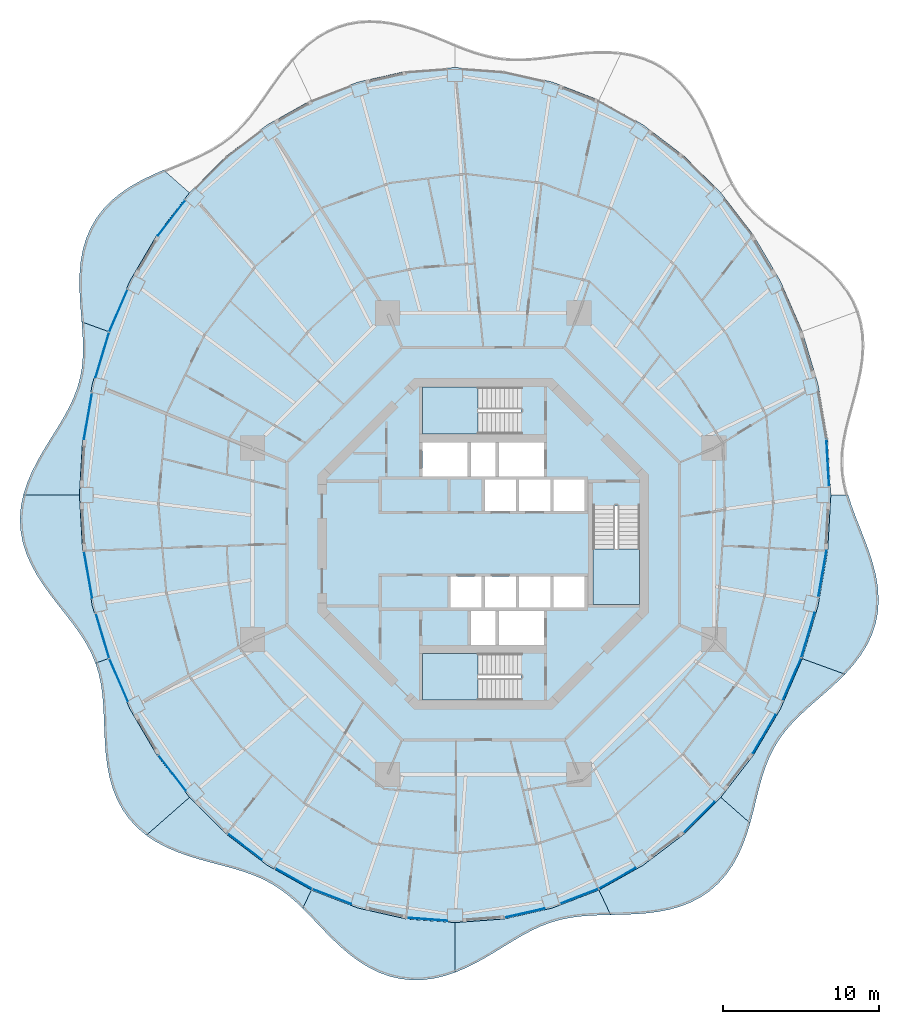
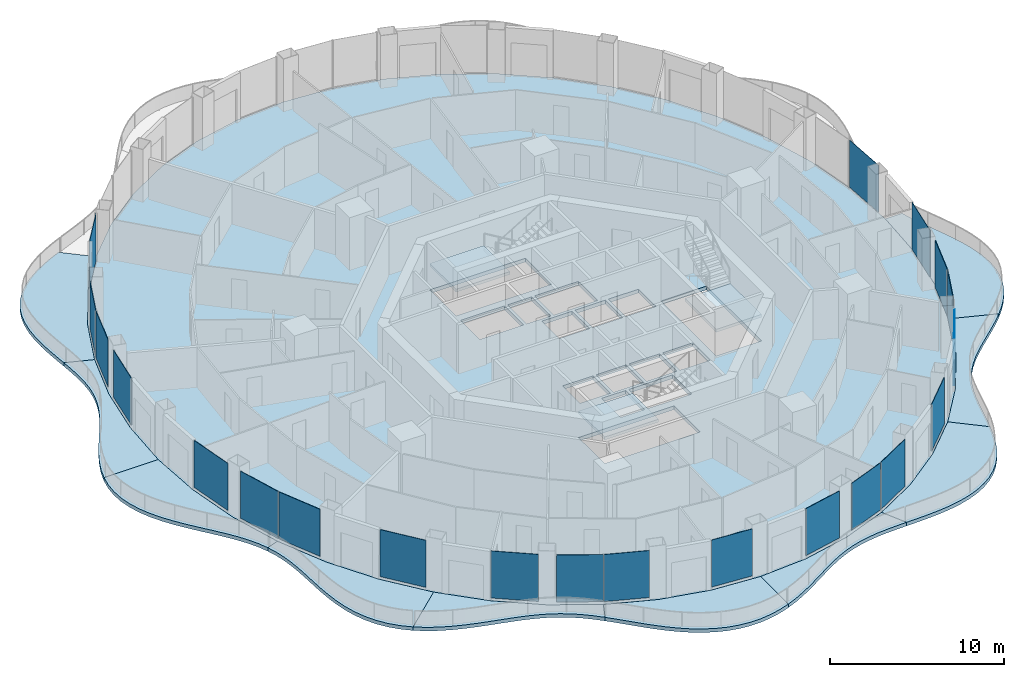
# One storey, part 8 of 18: 21 plates, 14 slabs, 24 elements without a shape of their own.
"""IFC4 building model written with IfcOpenShell, lengths in metres."""

from ifc_helpers import new_model, si_unit, direction, frame, origin, origin_2d, place, context, subcontext, project, spatial, polyline, rectangle, outline, extrude, material, layer, layer_set, type_object, element, aggregate, save


model = new_model("IFC4")

# Units and contexts
model_context = context("Model", 3, precision=1e-05, world=origin(), true_north=direction((0.0, 1.0)))
body_context = subcontext(model_context, "Body", "Model", "MODEL_VIEW")
ifc_project = project(units=[si_unit("LENGTHUNIT", "METRE"), si_unit("AREAUNIT", "SQUARE_METRE"), si_unit("VOLUMEUNIT", "CUBIC_METRE"), si_unit("PLANEANGLEUNIT", "RADIAN"), si_unit("MASSUNIT", "GRAM", prefix="KILO")], contexts=[model_context])

# Site, building, storey
site_placement = place(None, origin())
site = spatial("IfcSite", under=ifc_project, at=site_placement, CompositionType="ELEMENT")
building_placement = place(site_placement, origin())
building = spatial("IfcBuilding", under=site, at=building_placement, Name="Nagisa Residences", CompositionType="ELEMENT")
storey_placement = place(building_placement, frame((0.0, 0.0, 227.0)))
storey = spatial("IfcBuildingStorey", under=building, at=storey_placement, Name="L57", CompositionType="ELEMENT", Elevation=227.0)

# Slabs
ifc_material_1 = material(Name="Concrete C40/50", Category="concrete")
ifc_layer_1 = layer(ifc_material_1, 0.25)
ifc_layer_set_1 = layer_set([ifc_layer_1], Name="BALCONY SLAB 250")
slab_type_1 = type_object("IfcSlabType", Name="BALCONY SLAB 250", PredefinedType="FLOOR", material=ifc_layer_set_1)
slab_1_placement = place(storey_placement, frame((0.0, 0.0, -0.25)))
element("IfcSlab", 1, at=slab_1_placement, inside=storey, type_object=slab_type_1, Name="slab:L57:bal06", PredefinedType="FLOOR", context=body_context, shape_type="SweptSolid", body=[
    extrude(outline(polyline([(-20.475341796875, 23.93994140625), (-21.192138671875, 23.623779296875), (-21.8984375, 23.278076171875), (-22.579345703125, 22.893310546875), (-23.220458984375, 22.462158203125), (-23.80859375, 21.980224609375), (-24.33203125, 21.4453125), (-24.7822265625, 20.857666015625), (-25.153076171875, 20.220703125), (-25.4423828125, 19.539306640625), (-25.651611328125, 18.82080078125), (-25.785400390625, 18.0732421875), (-25.852783203125, 17.3056640625), (-25.865234375, 16.527587890625), (-25.836669921875, 15.747314453125), (-25.782958984375, 14.973388671875), (-25.720458984375, 14.2119140625), (-24.037841796875, 13.599365234375), (-22.645263671875, 16.812744140625), (-20.89599609375, 19.791748046875), (-18.820068359375, 22.4853515625), (-20.475341796875, 23.93994140625)])), origin(), (0.0, 0.0, 1.0), 0.25),
])
slab_2_placement = place(storey_placement, frame((0.0, 0.0, -0.25)))
element("IfcSlab", 2, at=slab_2_placement, inside=storey, type_object=slab_type_1, Name="slab:L57:bal07", PredefinedType="FLOOR", context=body_context, shape_type="SweptSolid", body=[
    extrude(outline(polyline([(-25.720458984375, 14.2119140625), (-25.664794921875, 13.44482421875), (-25.63427734375, 12.699951171875), (-25.64453125, 11.978759765625), (-25.706787109375, 11.2802734375), (-25.82958984375, 10.60205078125), (-26.016845703125, 9.939697265625), (-26.267822265625, 9.2880859375), (-26.5771484375, 8.6416015625), (-26.935791015625, 7.994140625), (-27.33056640625, 7.340087890625), (-27.7451171875, 6.6748046875), (-28.1611328125, 5.9951171875), (-28.5595703125, 5.299072265625), (-28.921142578125, 4.58642578125), (-29.227783203125, 3.858154296875), (-29.463623046875, 3.11767578125), (-25.8701171875, 3.11767578125), (-25.6640625, 6.69287109375), (-25.0498046875, 10.206787109375), (-24.037841796875, 13.599365234375), (-25.720458984375, 14.2119140625)])), origin(), (0.0, 0.0, 1.0), 0.25),
])
slab_3_placement = place(storey_placement, frame((0.0, 0.0, -0.25)))
element("IfcSlab", 3, at=slab_3_placement, inside=storey, type_object=slab_type_1, Name="slab:L57:bal08", PredefinedType="FLOOR", context=body_context, shape_type="SweptSolid", body=[
    extrude(outline(polyline([(-29.463623046875, 3.11767578125), (-29.615966796875, 2.368896484375), (-29.67578125, 1.61669921875), (-29.638916015625, 0.86669921875), (-29.505126953125, 0.12451171875), (-29.279296875, -0.60498046875), (-28.970458984375, -1.3173828125), (-28.591064453125, -2.009765625), (-28.1572265625, -2.68115234375), (-27.68701171875, -3.331787109375), (-27.19921875, -3.963623046875), (-26.712890625, -4.58056640625), (-26.245849609375, -5.188232421875), (-25.813720703125, -5.79248046875), (-25.4296875, -6.400390625), (-25.102294921875, -7.01904296875), (-24.83642578125, -7.65478515625), (-24.037841796875, -7.364013671875), (-25.0498046875, -3.971435546875), (-25.6640625, -0.45751953125), (-25.8701171875, 3.11767578125), (-29.463623046875, 3.11767578125)])), origin(), (0.0, 0.0, 1.0), 0.25),
])
slab_4_placement = place(storey_placement, frame((0.0, 0.0, -0.25)))
element("IfcSlab", 4, at=slab_4_placement, inside=storey, type_object=slab_type_1, Name="slab:L57:bal09", PredefinedType="FLOOR", context=body_context, shape_type="SweptSolid", body=[
    extrude(outline(polyline([(-24.83642578125, -7.65478515625), (-24.637939453125, -8.29248046875), (-24.493896484375, -8.955322265625), (-24.397216796875, -9.644775390625), (-24.337158203125, -10.361083984375), (-24.30078125, -11.101806640625), (-24.273193359375, -11.86279296875), (-24.23876953125, -12.63720703125), (-24.181396484375, -13.417236328125), (-24.0859375, -14.193359375), (-23.939453125, -14.955078125), (-23.730224609375, -15.69140625), (-23.45068359375, -16.392333984375), (-23.095703125, -17.04833984375), (-22.6640625, -17.6513671875), (-22.158203125, -18.19580078125), (-21.583740234375, -18.6787109375), (-18.820068359375, -16.25), (-20.89599609375, -13.556396484375), (-22.645263671875, -10.577392578125), (-24.037841796875, -7.364013671875), (-24.83642578125, -7.65478515625)])), origin(), (0.0, 0.0, 1.0), 0.25),
])
slab_5_placement = place(storey_placement, frame((0.0, 0.0, -0.25)))
element("IfcSlab", 5, at=slab_5_placement, inside=storey, type_object=slab_type_1, Name="slab:L57:bal10", PredefinedType="FLOOR", context=body_context, shape_type="SweptSolid", body=[
    extrude(outline(polyline([(-21.583740234375, -18.6787109375), (-20.97998046875, -19.0810546875), (-20.330810546875, -19.42919921875), (-19.64697265625, -19.727783203125), (-18.940185546875, -19.983642578125), (-18.221923828125, -20.205810546875), (-17.503662109375, -20.404541015625), (-16.795166015625, -20.591552734375), (-16.105224609375, -20.7783203125), (-15.440673828125, -20.97705078125), (-14.805419921875, -21.1982421875), (-14.20166015625, -21.451416015625), (-13.628662109375, -21.744140625), (-13.083984375, -22.080810546875), (-12.562744140625, -22.463623046875), (-12.05859375, -22.891357421875), (-11.56396484375, -23.360107421875), (-11.01123046875, -22.187255859375), (-13.8349609375, -20.602783203125), (-16.452880859375, -18.6123046875), (-18.820068359375, -16.25), (-21.583740234375, -18.6787109375)])), origin(), (0.0, 0.0, 1.0), 0.25),
])
slab_6_placement = place(storey_placement, frame((0.0, 0.0, -0.25)))
element("IfcSlab", 6, at=slab_6_placement, inside=storey, type_object=slab_type_1, Name="slab:L57:bal11", PredefinedType="FLOOR", context=body_context, shape_type="SweptSolid", body=[
    extrude(outline(polyline([(-11.56396484375, -23.360107421875), (-11.0888671875, -23.843505859375), (-10.608154296875, -24.348876953125), (-10.11474609375, -24.86572265625), (-9.60302734375, -25.38134765625), (-9.068115234375, -25.88232421875), (-8.5068359375, -26.355224609375), (-7.91748046875, -26.786376953125), (-7.2998046875, -27.163330078125), (-6.656005859375, -27.4755859375), (-5.9892578125, -27.714111328125), (-5.3037109375, -27.872802734375), (-4.605224609375, -27.948486328125), (-3.899658203125, -27.94091796875), (-3.193115234375, -27.852783203125), (-2.491455078125, -27.68994140625), (-1.800048828125, -27.461181640625), (-1.800048828125, -24.272216796875), (-4.941650390625, -24.0380859375), (-8.02978515625, -23.339111328125), (-11.01123046875, -22.187255859375), (-11.56396484375, -23.360107421875)])), origin(), (0.0, 0.0, 1.0), 0.25),
])
slab_7_placement = place(storey_placement, frame((0.0, 0.0, -0.25)))
element("IfcSlab", 7, at=slab_7_placement, inside=storey, type_object=slab_type_1, Name="slab:L57:bal12", PredefinedType="FLOOR", context=body_context, shape_type="SweptSolid", body=[
    extrude(outline(polyline([(-1.800048828125, -27.461181640625), (-1.123046875, -27.1767578125), (-0.46337890625, -26.849609375), (0.17724609375, -26.4931640625), (0.799072265625, -26.121826171875), (1.40380859375, -25.74951171875), (1.994384765625, -25.38916015625), (2.57470703125, -25.05224609375), (3.150390625, -24.748779296875), (3.7265625, -24.4853515625), (4.308837890625, -24.2666015625), (4.90283203125, -24.093994140625), (5.512939453125, -23.9658203125), (6.142578125, -23.877685546875), (6.79345703125, -23.82275390625), (7.46630859375, -23.7919921875), (8.159423828125, -23.774658203125), (7.4111328125, -22.187255859375), (4.4296875, -23.339111328125), (1.341796875, -24.0380859375), (-1.800048828125, -24.272216796875), (-1.800048828125, -27.461181640625)])), origin(), (0.0, 0.0, 1.0), 0.25),
])
slab_8_placement = place(storey_placement, frame((0.0, 0.0, -0.25)))
element("IfcSlab", 8, at=slab_8_placement, inside=storey, type_object=slab_type_1, Name="slab:L57:bal13", PredefinedType="FLOOR", context=body_context, shape_type="SweptSolid", body=[
    extrude(outline(polyline([(8.159423828125, -23.774658203125), (8.896240234375, -23.75830078125), (9.64599609375, -23.729736328125), (10.40087890625, -23.67578125), (11.15234375, -23.58349609375), (11.890625, -23.441650390625), (12.605712890625, -23.2412109375), (13.288330078125, -22.9755859375), (13.928955078125, -22.64111328125), (14.52001953125, -22.236572265625), (15.05615234375, -21.763916015625), (15.533447265625, -21.22802734375), (15.950927734375, -20.635498046875), (16.310546875, -19.99560546875), (16.6162109375, -19.318359375), (16.875, -18.615478515625), (17.095458984375, -17.89794921875), (15.219970703125, -16.25), (12.852783203125, -18.6123046875), (10.235107421875, -20.602783203125), (7.4111328125, -22.187255859375), (8.159423828125, -23.774658203125)])), origin(), (0.0, 0.0, 1.0), 0.25),
])
slab_9_placement = place(storey_placement, frame((0.0, 0.0, -0.25)))
element("IfcSlab", 9, at=slab_9_placement, inside=storey, type_object=slab_type_1, Name="slab:L57:bal14", PredefinedType="FLOOR", context=body_context, shape_type="SweptSolid", body=[
    extrude(outline(polyline([(17.095458984375, -17.89794921875), (17.297119140625, -17.141845703125), (17.482421875, -16.39404296875), (17.665283203125, -15.66455078125), (17.860107421875, -14.961669921875), (18.079833984375, -14.290771484375), (18.3359375, -13.65478515625), (18.63720703125, -13.05419921875), (18.9892578125, -12.48681640625), (19.394287109375, -11.947998046875), (19.850830078125, -11.431396484375), (20.35400390625, -10.929931640625), (20.894775390625, -10.434814453125), (21.4619140625, -9.93798828125), (22.041015625, -9.430908203125), (22.616455078125, -8.906494140625), (23.17138671875, -8.359130859375), (20.437744140625, -7.364013671875), (19.045166015625, -10.577392578125), (17.2958984375, -13.556396484375), (15.219970703125, -16.25), (17.095458984375, -17.89794921875)])), origin(), (0.0, 0.0, 1.0), 0.25),
])
slab_10_placement = place(storey_placement, frame((0.0, 0.0, -0.25)))
element("IfcSlab", 10, at=slab_10_placement, inside=storey, type_object=slab_type_1, Name="slab:L57:bal15", PredefinedType="FLOOR", context=body_context, shape_type="SweptSolid", body=[
    extrude(outline(polyline([(23.17138671875, -8.359130859375), (23.70556640625, -7.76513671875), (24.18310546875, -7.13916015625), (24.58935546875, -6.480712890625), (24.91259765625, -5.790771484375), (25.14453125, -5.0732421875), (25.28125, -4.33251953125), (25.3232421875, -3.57470703125), (25.27587890625, -2.80615234375), (25.148681640625, -2.03369140625), (24.954345703125, -1.263427734375), (24.70947265625, -0.500244140625), (24.43212890625, 0.251220703125), (24.1416015625, 0.989013671875), (23.857177734375, 1.7119140625), (23.596923828125, 2.420654296875), (23.37646484375, 3.11767578125), (22.27001953125, 3.11767578125), (22.06396484375, -0.45751953125), (21.449951171875, -3.971435546875), (20.437744140625, -7.364013671875), (23.17138671875, -8.359130859375)])), origin(), (0.0, 0.0, 1.0), 0.25),
])

# Curtain wall, plate
ifc_material_2 = material(Name="Concrete-coloured aluminium curtain wall system", Category="concrete")
ifc_layer_2 = layer(ifc_material_2, 0.159912109375)
ifc_layer_set_2 = layer_set([ifc_layer_2], Name="CW1 CURTAIN WALL")
curtain_wall_type = type_object("IfcCurtainWallType", Name="CW1 CURTAIN WALL", PredefinedType="NOTDEFINED", material=ifc_layer_set_2)
curtain_wall_1_placement = place(storey_placement, origin())
curtain_wall_1 = element("IfcCurtainWall", 11, at=curtain_wall_1_placement, inside=storey, type_object=curtain_wall_type, Name="cw:CW1:L57:00", PredefinedType="NOTDEFINED")
ifc_material_3 = material(Name="Clear laminated glass", Category="glass")
ifc_layer_3 = layer(ifc_material_3, 0.028076171875)
ifc_layer_set_3 = layer_set([ifc_layer_3], Name="CW1 GLASS PANEL")
plate_type = type_object("IfcPlateType", Name="CW1 GLASS PANEL", PredefinedType="CURTAIN_PANEL", material=ifc_layer_set_3)
plate_1_placement = place(storey_placement, frame((22.071044921875, 5.18017578125, 0.14990234375), z_axis=(0.0, 0.0, 1.0), x_axis=(-0.057503492216, 0.998345305184, 0.0)))
plate_1 = element("IfcPlate", 12, at=plate_1_placement, type_object=plate_type, Name="CW1 panel", PredefinedType="CURTAIN_PANEL", context=body_context, shape_type="SweptSolid", body=[
    extrude(rectangle(XDim=3.02099609375, YDim=0.028076171875, at=origin_2d()), origin(), (0.0, 0.0, 1.0), 3.2900390625),
])
aggregate(curtain_wall_1, [plate_1])

curtain_wall_2_placement = place(storey_placement, origin())
curtain_wall_2 = element("IfcCurtainWall", 13, at=curtain_wall_2_placement, inside=storey, type_object=curtain_wall_type, Name="cw:CW1:L57:18", PredefinedType="NOTDEFINED")
plate_2_placement = place(storey_placement, frame((-19.965576171875, 20.867919921875, 0.14990234375), z_axis=(0.0, 0.0, 1.0), x_axis=(-0.610429828235, -0.792070340816, 0.0)))
plate_2 = element("IfcPlate", 14, at=plate_2_placement, type_object=plate_type, Name="CW1 panel", PredefinedType="CURTAIN_PANEL", context=body_context, shape_type="SweptSolid", body=[
    extrude(rectangle(XDim=2.8408203125, YDim=0.028076171875, at=origin_2d()), origin(), (0.0, 0.0, 1.0), 3.2900390625),
])
aggregate(curtain_wall_2, [plate_2])

curtain_wall_3_placement = place(storey_placement, origin())
curtain_wall_3 = element("IfcCurtainWall", 15, at=curtain_wall_3_placement, inside=storey, type_object=curtain_wall_type, Name="cw:CW1:L57:20", PredefinedType="NOTDEFINED")
plate_3_placement = place(storey_placement, frame((-23.37939453125, 14.917236328125, 0.14990234375), z_axis=(0.0, 0.0, 1.0), x_axis=(-0.397635934147, -0.917543276295, 0.0)))
plate_3 = element("IfcPlate", 16, at=plate_3_placement, type_object=plate_type, Name="CW1 panel", PredefinedType="CURTAIN_PANEL", context=body_context, shape_type="SweptSolid", body=[
    extrude(rectangle(XDim=2.942138671875, YDim=0.028076171875, at=origin_2d()), origin(), (0.0, 0.0, 1.0), 3.2900390625),
])
aggregate(curtain_wall_3, [plate_3])

curtain_wall_4_placement = place(storey_placement, origin())
curtain_wall_4 = element("IfcCurtainWall", 17, at=curtain_wall_4_placement, inside=storey, type_object=curtain_wall_type, Name="cw:CW1:L57:21", PredefinedType="NOTDEFINED")
plate_4_placement = place(storey_placement, frame((-24.404296875, 12.091064453125, 0.14990234375), z_axis=(0.0, 0.0, 1.0), x_axis=(-0.285860274038, -0.958271310082, 0.0)))
plate_4 = element("IfcPlate", 18, at=plate_4_placement, type_object=plate_type, Name="CW1 panel", PredefinedType="CURTAIN_PANEL", context=body_context, shape_type="SweptSolid", body=[
    extrude(rectangle(XDim=2.98046875, YDim=0.028076171875, at=origin_2d()), origin(), (0.0, 0.0, 1.0), 3.2900390625),
])
aggregate(curtain_wall_4, [plate_4])

curtain_wall_5_placement = place(storey_placement, origin())
curtain_wall_5 = element("IfcCurtainWall", 19, at=curtain_wall_5_placement, inside=storey, type_object=curtain_wall_type, Name="cw:CW1:L57:22", PredefinedType="NOTDEFINED")
plate_5_placement = place(storey_placement, frame((-25.326416015625, 8.16015625, 0.14990234375), z_axis=(0.0, 0.0, 1.0), x_axis=(-0.172190868898, -0.985063604377, 0.0)))
plate_5 = element("IfcPlate", 20, at=plate_5_placement, type_object=plate_type, Name="CW1 panel", PredefinedType="CURTAIN_PANEL", context=body_context, shape_type="SweptSolid", body=[
    extrude(rectangle(XDim=3.00732421875, YDim=0.028076171875, at=origin_2d()), origin(), (0.0, 0.0, 1.0), 3.2900390625),
])
aggregate(curtain_wall_5, [plate_5])

curtain_wall_6_placement = place(storey_placement, origin())
curtain_wall_6 = element("IfcCurtainWall", 21, at=curtain_wall_6_placement, inside=storey, type_object=curtain_wall_type, Name="cw:CW1:L57:25", PredefinedType="NOTDEFINED")
plate_6_placement = place(storey_placement, frame((-25.31591796875, -1.98388671875, 0.14990234375), z_axis=(0.0, 0.0, 1.0), x_axis=(0.172190868898, -0.985063604377, 0.0)))
plate_6 = element("IfcPlate", 22, at=plate_6_placement, type_object=plate_type, Name="CW1 panel", PredefinedType="CURTAIN_PANEL", context=body_context, shape_type="SweptSolid", body=[
    extrude(rectangle(XDim=3.00732421875, YDim=0.028076171875, at=origin_2d()), origin(), (0.0, 0.0, 1.0), 3.2900390625),
])
aggregate(curtain_wall_6, [plate_6])

curtain_wall_7_placement = place(storey_placement, origin())
curtain_wall_7 = element("IfcCurtainWall", 23, at=curtain_wall_7_placement, inside=storey, type_object=curtain_wall_type, Name="cw:CW1:L57:26", PredefinedType="NOTDEFINED")
plate_7_placement = place(storey_placement, frame((-24.38720703125, -5.9130859375, 0.14990234375), z_axis=(0.0, 0.0, 1.0), x_axis=(0.285860274038, -0.958271310082, 0.0)))
plate_7 = element("IfcPlate", 24, at=plate_7_placement, type_object=plate_type, Name="CW1 panel", PredefinedType="CURTAIN_PANEL", context=body_context, shape_type="SweptSolid", body=[
    extrude(rectangle(XDim=2.98046875, YDim=0.028076171875, at=origin_2d()), origin(), (0.0, 0.0, 1.0), 3.2900390625),
])
aggregate(curtain_wall_7, [plate_7])

curtain_wall_8_placement = place(storey_placement, origin())
curtain_wall_8 = element("IfcCurtainWall", 25, at=curtain_wall_8_placement, inside=storey, type_object=curtain_wall_type, Name="cw:CW1:L57:27", PredefinedType="NOTDEFINED")
plate_8_placement = place(storey_placement, frame((-23.35546875, -8.737060546875, 0.14990234375), z_axis=(0.0, 0.0, 1.0), x_axis=(0.397635934147, -0.917543276295, 0.0)))
plate_8 = element("IfcPlate", 26, at=plate_8_placement, type_object=plate_type, Name="CW1 panel", PredefinedType="CURTAIN_PANEL", context=body_context, shape_type="SweptSolid", body=[
    extrude(rectangle(XDim=2.942138671875, YDim=0.028076171875, at=origin_2d()), origin(), (0.0, 0.0, 1.0), 3.2900390625),
])
aggregate(curtain_wall_8, [plate_8])

curtain_wall_9_placement = place(storey_placement, origin())
curtain_wall_9 = element("IfcCurtainWall", 27, at=curtain_wall_9_placement, inside=storey, type_object=curtain_wall_type, Name="cw:CW1:L57:29", PredefinedType="NOTDEFINED")
plate_9_placement = place(storey_placement, frame((-19.928955078125, -14.679931640625, 0.14990234375), z_axis=(0.0, 0.0, 1.0), x_axis=(0.610429828235, -0.792070340816, 0.0)))
plate_9 = element("IfcPlate", 28, at=plate_9_placement, type_object=plate_type, Name="CW1 panel", PredefinedType="CURTAIN_PANEL", context=body_context, shape_type="SweptSolid", body=[
    extrude(rectangle(XDim=2.8408203125, YDim=0.028076171875, at=origin_2d()), origin(), (0.0, 0.0, 1.0), 3.2900390625),
])
aggregate(curtain_wall_9, [plate_9])

curtain_wall_10_placement = place(storey_placement, origin())
curtain_wall_10 = element("IfcCurtainWall", 29, at=curtain_wall_10_placement, inside=storey, type_object=curtain_wall_type, Name="cw:CW1:L57:31", PredefinedType="NOTDEFINED")
plate_10_placement = place(storey_placement, frame((-15.270751953125, -19.41064453125, 0.14990234375), z_axis=(0.0, 0.0, 1.0), x_axis=(0.79603132756, -0.605255421737, 0.0)))
plate_10 = element("IfcPlate", 30, at=plate_10_placement, type_object=plate_type, Name="CW1 panel", PredefinedType="CURTAIN_PANEL", context=body_context, shape_type="SweptSolid", body=[
    extrude(rectangle(XDim=2.728759765625, YDim=0.028076171875, at=origin_2d()), origin(), (0.0, 0.0, 1.0), 3.2900390625),
])
aggregate(curtain_wall_10, [plate_10])

curtain_wall_11_placement = place(storey_placement, origin())
curtain_wall_11 = element("IfcCurtainWall", 31, at=curtain_wall_11_placement, inside=storey, type_object=curtain_wall_type, Name="cw:CW1:L57:32", PredefinedType="NOTDEFINED")
plate_11_placement = place(storey_placement, frame((-12.1396484375, -21.46240234375, 0.14990234375), z_axis=(0.0, 0.0, 1.0), x_axis=(0.872072377523, -0.489376918501, 0.0)))
plate_11 = element("IfcPlate", 32, at=plate_11_placement, type_object=plate_type, Name="CW1 panel", PredefinedType="CURTAIN_PANEL", context=body_context, shape_type="SweptSolid", body=[
    extrude(rectangle(XDim=2.677978515625, YDim=0.028076171875, at=origin_2d()), origin(), (0.0, 0.0, 1.0), 3.2900390625),
])
aggregate(curtain_wall_11, [plate_11])

curtain_wall_12_placement = place(storey_placement, origin())
curtain_wall_12 = element("IfcCurtainWall", 33, at=curtain_wall_12_placement, inside=storey, type_object=curtain_wall_type, Name="cw:CW1:L57:33", PredefinedType="NOTDEFINED")
plate_12_placement = place(storey_placement, frame((-9.69677734375, -22.609375, 0.14990234375), z_axis=(0.0, 0.0, 1.0), x_axis=(0.932825759707, -0.360327770268, 0.0)))
plate_12 = element("IfcPlate", 34, at=plate_12_placement, type_object=plate_type, Name="CW1 panel", PredefinedType="CURTAIN_PANEL", context=body_context, shape_type="SweptSolid", body=[
    extrude(rectangle(XDim=2.63623046875, YDim=0.028076171875, at=origin_2d()), origin(), (0.0, 0.0, 1.0), 3.2900390625),
])
aggregate(curtain_wall_12, [plate_12])

curtain_wall_13_placement = place(storey_placement, origin())
curtain_wall_13 = element("IfcCurtainWall", 35, at=curtain_wall_13_placement, inside=storey, type_object=curtain_wall_type, Name="cw:CW1:L57:35", PredefinedType="NOTDEFINED")
plate_13_placement = place(storey_placement, frame((-3.584228515625, -24.05908203125, 0.14990234375), z_axis=(0.0, 0.0, 1.0), x_axis=(0.997230168512, -0.074377355493, 0.0)))
plate_13 = element("IfcPlate", 36, at=plate_13_placement, type_object=plate_type, Name="CW1 panel", PredefinedType="CURTAIN_PANEL", context=body_context, shape_type="SweptSolid", body=[
    extrude(rectangle(XDim=2.590576171875, YDim=0.028076171875, at=origin_2d()), origin(), (0.0, 0.0, 1.0), 3.2900390625),
])
aggregate(curtain_wall_13, [plate_13])

curtain_wall_14_placement = place(storey_placement, origin())
curtain_wall_14 = element("IfcCurtainWall", 37, at=curtain_wall_14_placement, inside=storey, type_object=curtain_wall_type, Name="cw:CW1:L57:37", PredefinedType="NOTDEFINED")
plate_14_placement = place(storey_placement, frame((2.653564453125, -23.658935546875, 0.14990234375), z_axis=(0.0, 0.0, 1.0), x_axis=(0.975327274089, 0.2207639201, 0.0)))
plate_14 = element("IfcPlate", 38, at=plate_14_placement, type_object=plate_type, Name="CW1 panel", PredefinedType="CURTAIN_PANEL", context=body_context, shape_type="SweptSolid", body=[
    extrude(rectangle(XDim=2.606201171875, YDim=0.028076171875, at=origin_2d()), origin(), (0.0, 0.0, 1.0), 3.2900390625),
])
aggregate(curtain_wall_14, [plate_14])

curtain_wall_15_placement = place(storey_placement, origin())
curtain_wall_15 = element("IfcCurtainWall", 39, at=curtain_wall_15_placement, inside=storey, type_object=curtain_wall_type, Name="cw:CW1:L57:38", PredefinedType="NOTDEFINED")
plate_15_placement = place(storey_placement, frame((6.15283203125, -22.587646484375, 0.14990234375), z_axis=(0.0, 0.0, 1.0), x_axis=(0.932825759707, 0.360327770268, 0.0)))
plate_15 = element("IfcPlate", 40, at=plate_15_placement, type_object=plate_type, Name="CW1 panel", PredefinedType="CURTAIN_PANEL", context=body_context, shape_type="SweptSolid", body=[
    extrude(rectangle(XDim=2.63623046875, YDim=0.028076171875, at=origin_2d()), origin(), (0.0, 0.0, 1.0), 3.2900390625),
])
aggregate(curtain_wall_15, [plate_15])

curtain_wall_16_placement = place(storey_placement, origin())
curtain_wall_16 = element("IfcCurtainWall", 41, at=curtain_wall_16_placement, inside=storey, type_object=curtain_wall_type, Name="cw:CW1:L57:39", PredefinedType="NOTDEFINED")
plate_16_placement = place(storey_placement, frame((8.592041015625, -21.432861328125, 0.14990234375), z_axis=(0.0, 0.0, 1.0), x_axis=(0.872072377523, 0.489376918501, 0.0)))
plate_16 = element("IfcPlate", 42, at=plate_16_placement, type_object=plate_type, Name="CW1 panel", PredefinedType="CURTAIN_PANEL", context=body_context, shape_type="SweptSolid", body=[
    extrude(rectangle(XDim=2.677978515625, YDim=0.028076171875, at=origin_2d()), origin(), (0.0, 0.0, 1.0), 3.2900390625),
])
aggregate(curtain_wall_16, [plate_16])

curtain_wall_17_placement = place(storey_placement, origin())
curtain_wall_17 = element("IfcCurtainWall", 43, at=curtain_wall_17_placement, inside=storey, type_object=curtain_wall_type, Name="cw:CW1:L57:41", PredefinedType="NOTDEFINED")
plate_17_placement = place(storey_placement, frame((13.82421875, -17.52978515625, 0.14990234375), z_axis=(0.0, 0.0, 1.0), x_axis=(0.707835924016, 0.706376885714, 0.0)))
plate_17 = element("IfcPlate", 44, at=plate_17_placement, type_object=plate_type, Name="CW1 panel", PredefinedType="CURTAIN_PANEL", context=body_context, shape_type="SweptSolid", body=[
    extrude(rectangle(XDim=2.7841796875, YDim=0.028076171875, at=origin_2d()), origin(), (0.0, 0.0, 1.0), 3.2900390625),
])
aggregate(curtain_wall_17, [plate_17])

curtain_wall_18_placement = place(storey_placement, origin())
curtain_wall_18 = element("IfcCurtainWall", 45, at=curtain_wall_18_placement, inside=storey, type_object=curtain_wall_type, Name="cw:CW1:L57:43", PredefinedType="NOTDEFINED")
plate_18_placement = place(storey_placement, frame((17.990234375, -12.216064453125, 0.14990234375), z_axis=(0.0, 0.0, 1.0), x_axis=(0.506348567002, 0.862328898214, 0.0)))
plate_18 = element("IfcPlate", 46, at=plate_18_placement, type_object=plate_type, Name="CW1 panel", PredefinedType="CURTAIN_PANEL", context=body_context, shape_type="SweptSolid", body=[
    extrude(rectangle(XDim=2.89453125, YDim=0.028076171875, at=origin_2d()), origin(), (0.0, 0.0, 1.0), 3.2900390625),
])
aggregate(curtain_wall_18, [plate_18])

curtain_wall_19_placement = place(storey_placement, origin())
curtain_wall_19 = element("IfcCurtainWall", 47, at=curtain_wall_19_placement, inside=storey, type_object=curtain_wall_type, Name="cw:CW1:L57:44", PredefinedType="NOTDEFINED")
plate_19_placement = place(storey_placement, frame((19.779541015625, -8.681884765625, 0.14990234375), z_axis=(0.0, 0.0, 1.0), x_axis=(0.397635934147, 0.917543276295, 0.0)))
plate_19 = element("IfcPlate", 48, at=plate_19_placement, type_object=plate_type, Name="CW1 panel", PredefinedType="CURTAIN_PANEL", context=body_context, shape_type="SweptSolid", body=[
    extrude(rectangle(XDim=2.942138671875, YDim=0.028076171875, at=origin_2d()), origin(), (0.0, 0.0, 1.0), 3.2900390625),
])
aggregate(curtain_wall_19, [plate_19])

curtain_wall_20_placement = place(storey_placement, origin())
curtain_wall_20 = element("IfcCurtainWall", 49, at=curtain_wall_20_placement, inside=storey, type_object=curtain_wall_type, Name="cw:CW1:L57:45", PredefinedType="NOTDEFINED")
plate_20_placement = place(storey_placement, frame((20.80419921875, -5.855712890625, 0.14990234375), z_axis=(0.0, 0.0, 1.0), x_axis=(0.285860274038, 0.958271310082, 0.0)))
plate_20 = element("IfcPlate", 50, at=plate_20_placement, type_object=plate_type, Name="CW1 panel", PredefinedType="CURTAIN_PANEL", context=body_context, shape_type="SweptSolid", body=[
    extrude(rectangle(XDim=2.98046875, YDim=0.028076171875, at=origin_2d()), origin(), (0.0, 0.0, 1.0), 3.2900390625),
])
aggregate(curtain_wall_20, [plate_20])

curtain_wall_21_placement = place(storey_placement, origin())
curtain_wall_21 = element("IfcCurtainWall", 51, at=curtain_wall_21_placement, inside=storey, type_object=curtain_wall_type, Name="cw:CW1:L57:46", PredefinedType="NOTDEFINED")
plate_21_placement = place(storey_placement, frame((21.726318359375, -1.9248046875, 0.14990234375), z_axis=(0.0, 0.0, 1.0), x_axis=(0.172190868898, 0.985063604377, 0.0)))
plate_21 = element("IfcPlate", 52, at=plate_21_placement, type_object=plate_type, Name="CW1 panel", PredefinedType="CURTAIN_PANEL", context=body_context, shape_type="SweptSolid", body=[
    extrude(rectangle(XDim=3.00732421875, YDim=0.028076171875, at=origin_2d()), origin(), (0.0, 0.0, 1.0), 3.2900390625),
])
aggregate(curtain_wall_21, [plate_21])

# Slab
ifc_material_4 = material(Name="Concrete C40", Category="concrete")
ifc_layer_4 = layer(ifc_material_4, 0.260009765625)
ifc_layer_set_4 = layer_set([ifc_layer_4], Name="Floor slab 260")
slab_type_2 = type_object("IfcSlabType", Name="Floor slab 260", PredefinedType="FLOOR", material=ifc_layer_set_4)
slab_11_placement = place(storey_placement, frame((0.0, 0.0, -0.260009765625)))
element("IfcSlab", 53, at=slab_11_placement, inside=storey, type_object=slab_type_2, Name="slab:L57:floor", PredefinedType="FLOOR", context=body_context, shape_type="SweptSolid", body=[
    extrude(outline(polyline([(22.27001953125, 3.11767578125), (22.06396484375, 6.69287109375), (21.449951171875, 10.206787109375), (20.437744140625, 13.599365234375), (19.045166015625, 16.812744140625), (17.2958984375, 19.791748046875), (15.219970703125, 22.4853515625), (12.852783203125, 24.84765625), (10.235107421875, 26.838134765625), (7.4111328125, 28.4228515625), (4.4296875, 29.574462890625), (1.341796875, 30.2734375), (-1.800048828125, 30.5078125), (-4.941650390625, 30.2734375), (-8.02978515625, 29.574462890625), (-11.01123046875, 28.4228515625), (-13.8349609375, 26.838134765625), (-16.452880859375, 24.84765625), (-18.820068359375, 22.4853515625), (-20.89599609375, 19.791748046875), (-22.645263671875, 16.812744140625), (-24.037841796875, 13.599365234375), (-25.0498046875, 10.206787109375), (-25.6640625, 6.69287109375), (-25.8701171875, 3.11767578125), (-25.6640625, -0.45751953125), (-25.0498046875, -3.971435546875), (-24.037841796875, -7.364013671875), (-22.645263671875, -10.577392578125), (-20.89599609375, -13.556396484375), (-18.820068359375, -16.25), (-16.452880859375, -18.6123046875), (-13.8349609375, -20.602783203125), (-11.01123046875, -22.187255859375), (-8.02978515625, -23.339111328125), (-4.941650390625, -24.0380859375), (-1.800048828125, -24.272216796875), (1.341796875, -24.0380859375), (4.4296875, -23.339111328125), (7.4111328125, -22.187255859375), (10.235107421875, -20.602783203125), (12.852783203125, -18.6123046875), (15.219970703125, -16.25), (17.2958984375, -13.556396484375), (19.045166015625, -10.577392578125), (20.437744140625, -7.364013671875), (21.449951171875, -3.971435546875), (22.06396484375, -0.45751953125), (22.27001953125, 3.11767578125)]), holes=[polyline([(2.10009765625, 2.10009765625), (2.10009765625, 4.10009765625), (0.10009765625, 4.10009765625), (0.10009765625, 2.10009765625), (2.10009765625, 2.10009765625)]), polyline([(4.300048828125, 2.10009765625), (4.300048828125, 4.10009765625), (2.300048828125, 4.10009765625), (2.300048828125, 2.10009765625), (4.300048828125, 2.10009765625)]), polyline([(6.5, 2.10009765625), (6.5, 4.10009765625), (4.5, 4.10009765625), (4.5, 2.10009765625), (6.5, 2.10009765625)]), polyline([(-0.10009765625, -4.10009765625), (-0.10009765625, -2.10009765625), (-2.10009765625, -2.10009765625), (-2.10009765625, -4.10009765625), (-0.10009765625, -4.10009765625)]), polyline([(2.10009765625, -4.10009765625), (2.10009765625, -2.10009765625), (0.10009765625, -2.10009765625), (0.10009765625, -4.10009765625), (2.10009765625, -4.10009765625)]), polyline([(4.300048828125, -4.10009765625), (4.300048828125, -2.10009765625), (2.300048828125, -2.10009765625), (2.300048828125, -4.10009765625), (4.300048828125, -4.10009765625)]), polyline([(6.5, -4.10009765625), (6.5, -2.10009765625), (4.5, -2.10009765625), (4.5, -4.10009765625), (6.5, -4.10009765625)]), polyline([(3.89990234375, 4.300048828125), (3.89990234375, 6.5), (1.0, 6.5), (1.0, 4.300048828125), (3.89990234375, 4.300048828125)]), polyline([(3.89990234375, -6.5), (3.89990234375, -4.300048828125), (1.0, -4.300048828125), (1.0, -6.5), (3.89990234375, -6.5)]), polyline([(-1.0, 4.300048828125), (-1.0, 6.5), (-3.89990234375, 6.5), (-3.89990234375, 4.300048828125), (-1.0, 4.300048828125)]), polyline([(0.800048828125, 4.300048828125), (0.800048828125, 6.5), (-0.800048828125, 6.5), (-0.800048828125, 4.300048828125), (0.800048828125, 4.300048828125)]), polyline([(0.800048828125, -6.5), (0.800048828125, -4.300048828125), (-0.800048828125, -4.300048828125), (-0.800048828125, -6.5), (0.800048828125, -6.5)]), polyline([(10.024658203125, -3.89990234375), (7.024658203125, -3.89990234375), (7.024658203125, 2.425048828125), (10.024658203125, 2.425048828125), (10.024658203125, -3.89990234375)]), polyline([(-3.89990234375, 7.024658203125), (-3.89990234375, 10.024658203125), (2.425048828125, 10.024658203125), (2.425048828125, 7.024658203125), (-3.89990234375, 7.024658203125)]), polyline([(-3.89990234375, -10.024658203125), (-3.89990234375, -7.024658203125), (2.425048828125, -7.024658203125), (2.425048828125, -10.024658203125), (-3.89990234375, -10.024658203125)])]), origin(), (0.0, 0.0, 1.0), 0.260009765625),
])

# Stair, slab
ifc_material_5 = material(Name="Concrete C60", Category="concrete")
stair_type = type_object("IfcStairType", Name="Exit stair", PredefinedType="HALF_TURN_STAIR", material=ifc_material_5)
stair_1_placement = place(storey_placement, origin())
stair_1 = element("IfcStair", 54, at=stair_1_placement, inside=storey, type_object=stair_type, Name="L57 Exit stair E", PredefinedType="HALF_TURN_STAIR")
ifc_material_6 = material(Name="Concrete C60", Category="concrete")
ifc_layer_5 = layer(ifc_material_6, 0.199951171875)
ifc_layer_set_5 = layer_set([ifc_layer_5], Name="Stair landing")
slab_type_3 = type_object("IfcSlabType", Name="Stair landing", PredefinedType="LANDING", material=ifc_layer_set_5)
slab_12_placement = place(storey_placement, frame((0.0, 0.0, 1.64990234375)))
slab_12 = element("IfcSlab", 55, at=slab_12_placement, type_object=slab_type_3, Name="ST-E landing 1", PredefinedType="LANDING", context=body_context, shape_type="SweptSolid", body=[
    extrude(outline(polyline([(7.024658203125, -0.324951171875), (7.024658203125, -3.89990234375), (10.024658203125, -3.89990234375), (10.024658203125, -0.324951171875), (7.024658203125, -0.324951171875)])), origin(), (0.0, 0.0, 1.0), 0.2001953125),
])
aggregate(stair_1, [slab_12])

stair_2_placement = place(storey_placement, origin())
stair_2 = element("IfcStair", 56, at=stair_2_placement, inside=storey, type_object=stair_type, Name="L57 Exit stair N", PredefinedType="HALF_TURN_STAIR")
slab_13_placement = place(storey_placement, frame((0.0, 0.0, 1.64990234375)))
slab_13 = element("IfcSlab", 57, at=slab_13_placement, type_object=slab_type_3, Name="ST-N landing 1", PredefinedType="LANDING", context=body_context, shape_type="SweptSolid", body=[
    extrude(outline(polyline([(-0.324951171875, 10.024658203125), (-3.89990234375, 10.024658203125), (-3.89990234375, 7.024658203125), (-0.324951171875, 7.024658203125), (-0.324951171875, 10.024658203125)])), origin(), (0.0, 0.0, 1.0), 0.2001953125),
])
aggregate(stair_2, [slab_13])

stair_3_placement = place(storey_placement, origin())
stair_3 = element("IfcStair", 58, at=stair_3_placement, inside=storey, type_object=stair_type, Name="L57 Exit stair S", PredefinedType="HALF_TURN_STAIR")
slab_14_placement = place(storey_placement, frame((0.0, 0.0, 1.64990234375)))
slab_14 = element("IfcSlab", 59, at=slab_14_placement, type_object=slab_type_3, Name="ST-S landing 1", PredefinedType="LANDING", context=body_context, shape_type="SweptSolid", body=[
    extrude(outline(polyline([(-0.324951171875, -7.024658203125), (-3.89990234375, -7.024658203125), (-3.89990234375, -10.024658203125), (-0.324951171875, -10.024658203125), (-0.324951171875, -7.024658203125)])), origin(), (0.0, 0.0, 1.0), 0.2001953125),
])
aggregate(stair_3, [slab_14])

save(model, "model.ifc")
